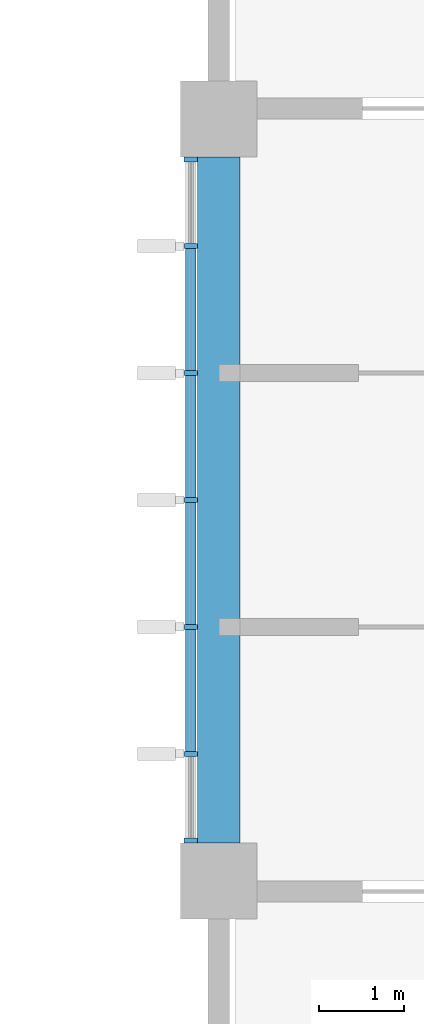
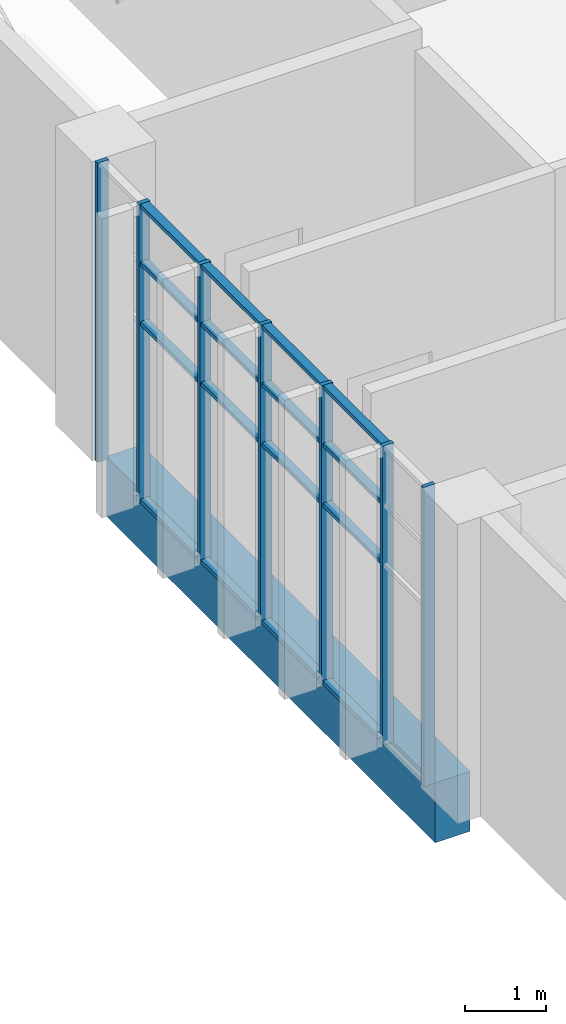
# One storey, part 8 of 79: 23 members, 1 beam, 1 element without a shape of its own.
"""IFC4 building model written with IfcOpenShell, lengths in metres."""

from ifc_helpers import new_model, si_unit, direction, frame, origin, origin_2d, place, context, subcontext, project, spatial, rectangle, extrude, material, layer, layer_set, material_profile, profile_set, type_object, element, aggregate, save


model = new_model("IFC4")

# Units and contexts
model_context = context("Model", 3, precision=1e-05, world=origin(), true_north=direction((0.0, 1.0)))
body_context = subcontext(model_context, "Body", "Model", "MODEL_VIEW")
ifc_project = project(units=[si_unit("LENGTHUNIT", "METRE"), si_unit("AREAUNIT", "SQUARE_METRE"), si_unit("VOLUMEUNIT", "CUBIC_METRE"), si_unit("PLANEANGLEUNIT", "RADIAN"), si_unit("MASSUNIT", "GRAM", prefix="KILO")], contexts=[model_context])

# Site, building, storey
site_placement = place(None, origin())
site = spatial("IfcSite", under=ifc_project, at=site_placement, CompositionType="ELEMENT")
building_placement = place(site_placement, origin())
building = spatial("IfcBuilding", under=site, at=building_placement, Name="Guidao Yard Department Store", CompositionType="ELEMENT")
storey_placement = place(building_placement, frame((0.0, 0.0, 15.0)))
storey = spatial("IfcBuildingStorey", under=building, at=storey_placement, Name="L03", CompositionType="ELEMENT", Elevation=15.0)

# Curtain wall, members
ifc_material_1 = material(Name="Aluminium and glass", Category="aluminium")
ifc_layer = layer(ifc_material_1, 0.159912109375)
ifc_layer_set = layer_set([ifc_layer], Name="Unitised curtain wall CW4 1500 module")
curtain_wall_type = type_object("IfcCurtainWallType", Name="Unitised curtain wall CW4 1500 module", PredefinedType="NOTDEFINED", material=ifc_layer_set)
curtain_wall_placement = place(storey_placement, origin())
curtain_wall = element("IfcCurtainWall", 1, at=curtain_wall_placement, inside=storey, type_object=curtain_wall_type, Name="Unitised curtain wall", PredefinedType="NOTDEFINED")
ifc_material_2 = material(Name="Aluminium 6063-T5", Category="aluminium")
ifc_material_profile_1 = material_profile(ifc_material_2, rectangle(XDim=0.06005859375, YDim=0.159912109375, at=origin_2d()), Name="Mullion M1 60 x 160 aluminium pressure plate")
ifc_profile_set_1 = profile_set([ifc_material_profile_1], Name="Aluminium 6063-T5")
member_type_1 = type_object("IfcMemberType", Name="Mullion M1 60 x 160 aluminium pressure plate", PredefinedType="MULLION", material=ifc_profile_set_1)
member_1_placement = place(storey_placement, frame((125.669921875, 9.47998046875, 0.0), z_axis=(0.0, 0.0, 1.0), x_axis=(0.0, 1.0, 0.0)))
member_1 = element("IfcMember", 2, at=member_1_placement, type_object=member_type_1, Name="CW-OW-L03-05 mullion 1", PredefinedType="MULLION", context=body_context, shape_type="SweptSolid", body=[
    extrude(rectangle(XDim=0.06005859375, YDim=0.159912109375, at=origin_2d()), origin(), (0.0, 0.0, 1.0), 4.5),
])
member_2_placement = place(storey_placement, frame((125.669921875, 10.5, 0.0), z_axis=(0.0, 0.0, 1.0), x_axis=(0.0, 1.0, 0.0)))
member_2 = element("IfcMember", 3, at=member_2_placement, type_object=member_type_1, Name="CW-OW-L03-05 mullion 2", PredefinedType="MULLION", context=body_context, shape_type="SweptSolid", body=[
    extrude(rectangle(XDim=0.06005859375, YDim=0.159912109375, at=origin_2d()), origin(), (0.0, 0.0, 1.0), 4.5),
])
member_3_placement = place(storey_placement, frame((125.669921875, 12.0, 0.0), z_axis=(0.0, 0.0, 1.0), x_axis=(0.0, 1.0, 0.0)))
member_3 = element("IfcMember", 4, at=member_3_placement, type_object=member_type_1, Name="CW-OW-L03-05 mullion 3", PredefinedType="MULLION", context=body_context, shape_type="SweptSolid", body=[
    extrude(rectangle(XDim=0.06005859375, YDim=0.159912109375, at=origin_2d()), origin(), (0.0, 0.0, 1.0), 4.5),
])
member_4_placement = place(storey_placement, frame((125.669921875, 13.5, 0.0), z_axis=(0.0, 0.0, 1.0), x_axis=(0.0, 1.0, 0.0)))
member_4 = element("IfcMember", 5, at=member_4_placement, type_object=member_type_1, Name="CW-OW-L03-05 mullion 4", PredefinedType="MULLION", context=body_context, shape_type="SweptSolid", body=[
    extrude(rectangle(XDim=0.06005859375, YDim=0.159912109375, at=origin_2d()), origin(), (0.0, 0.0, 1.0), 4.5),
])
member_5_placement = place(storey_placement, frame((125.669921875, 15.0, 0.0), z_axis=(0.0, 0.0, 1.0), x_axis=(0.0, 1.0, 0.0)))
member_5 = element("IfcMember", 6, at=member_5_placement, type_object=member_type_1, Name="CW-OW-L03-05 mullion 5", PredefinedType="MULLION", context=body_context, shape_type="SweptSolid", body=[
    extrude(rectangle(XDim=0.06005859375, YDim=0.159912109375, at=origin_2d()), origin(), (0.0, 0.0, 1.0), 4.5),
])
member_6_placement = place(storey_placement, frame((125.669921875, 16.5, 0.0), z_axis=(0.0, 0.0, 1.0), x_axis=(0.0, 1.0, 0.0)))
member_6 = element("IfcMember", 7, at=member_6_placement, type_object=member_type_1, Name="CW-OW-L03-05 mullion 6", PredefinedType="MULLION", context=body_context, shape_type="SweptSolid", body=[
    extrude(rectangle(XDim=0.06005859375, YDim=0.159912109375, at=origin_2d()), origin(), (0.0, 0.0, 1.0), 4.5),
])
member_7_placement = place(storey_placement, frame((125.669921875, 17.52001953125, 0.0), z_axis=(0.0, 0.0, 1.0), x_axis=(0.0, 1.0, 0.0)))
member_7 = element("IfcMember", 8, at=member_7_placement, type_object=member_type_1, Name="CW-OW-L03-05 mullion 7", PredefinedType="MULLION", context=body_context, shape_type="SweptSolid", body=[
    extrude(rectangle(XDim=0.06005859375, YDim=0.159912109375, at=origin_2d()), origin(), (0.0, 0.0, 1.0), 4.5),
])

# Beam
ifc_material_3 = material(Name="Concrete C40", Category="concrete")
ifc_material_profile_2 = material_profile(ifc_material_3, rectangle(XDim=0.5, YDim=0.89990234375, at=origin_2d()), Name="Spandrel beam 500 x 900 C40")
ifc_profile_set_2 = profile_set([ifc_material_profile_2], Name="Concrete C40")
beam_type = type_object("IfcBeamType", Name="Spandrel beam 500 x 900 C40", PredefinedType="SPANDREL", material=ifc_profile_set_2)
beam_placement = place(storey_placement, frame((126.0, 9.449951171875, -0.449951171875), z_axis=(0.0, 1.0, 0.0), x_axis=(-1.0, 0.0, 0.0)))
element("IfcBeam", 9, at=beam_placement, inside=storey, type_object=beam_type, Name="Beam FB04", PredefinedType="SPANDREL", context=body_context, shape_type="SweptSolid", body=[
    extrude(rectangle(XDim=0.5, YDim=0.89990234375, at=origin_2d()), origin(), (0.0, 0.0, 1.0), 8.10009765625),
])

# Member
ifc_material_4 = material(Name="Aluminium 6063-T5", Category="aluminium")
ifc_material_profile_3 = material_profile(ifc_material_4, rectangle(XDim=0.1201171875, YDim=0.06005859375, at=origin_2d()), Name="Transom T1 60 x 120 aluminium pressure plate")
ifc_profile_set_3 = profile_set([ifc_material_profile_3], Name="Aluminium 6063-T5")
member_type_2 = type_object("IfcMemberType", Name="Transom T1 60 x 120 aluminium pressure plate", PredefinedType="USERDEFINED", material=ifc_profile_set_3)
member_8_placement = place(storey_placement, frame((125.669921875, 10.530029296875, 0.030029296875), z_axis=(0.0, 1.0, 0.0), x_axis=(-1.0, 0.0, 0.0)))
member_8 = element("IfcMember", 10, at=member_8_placement, type_object=member_type_2, Name="CW-OW-L03-05 transom 2.1", ObjectType="TRANSOM", PredefinedType="USERDEFINED", context=body_context, shape_type="SweptSolid", body=[
    extrude(rectangle(XDim=0.1201171875, YDim=0.06005859375, at=origin_2d()), origin(), (0.0, 0.0, 1.0), 1.43994140625),
])

member_9_placement = place(storey_placement, frame((125.669921875, 10.530029296875, 2.699951171875), z_axis=(0.0, 1.0, 0.0), x_axis=(-1.0, 0.0, 0.0)))
member_9 = element("IfcMember", 11, at=member_9_placement, type_object=member_type_2, Name="CW-OW-L03-05 transom 2.2", ObjectType="TRANSOM", PredefinedType="USERDEFINED", context=body_context, shape_type="SweptSolid", body=[
    extrude(rectangle(XDim=0.1201171875, YDim=0.06005859375, at=origin_2d()), origin(), (0.0, 0.0, 1.0), 1.43994140625),
])

member_10_placement = place(storey_placement, frame((125.669921875, 10.530029296875, 3.60009765625), z_axis=(0.0, 1.0, 0.0), x_axis=(-1.0, 0.0, 0.0)))
member_10 = element("IfcMember", 12, at=member_10_placement, type_object=member_type_2, Name="CW-OW-L03-05 transom 2.3", ObjectType="TRANSOM", PredefinedType="USERDEFINED", context=body_context, shape_type="SweptSolid", body=[
    extrude(rectangle(XDim=0.1201171875, YDim=0.06005859375, at=origin_2d()), origin(), (0.0, 0.0, 1.0), 1.43994140625),
])

member_11_placement = place(storey_placement, frame((125.669921875, 10.530029296875, 4.469970703125), z_axis=(0.0, 1.0, 0.0), x_axis=(-1.0, 0.0, 0.0)))
member_11 = element("IfcMember", 13, at=member_11_placement, type_object=member_type_2, Name="CW-OW-L03-05 transom 2.4", ObjectType="TRANSOM", PredefinedType="USERDEFINED", context=body_context, shape_type="SweptSolid", body=[
    extrude(rectangle(XDim=0.1201171875, YDim=0.06005859375, at=origin_2d()), origin(), (0.0, 0.0, 1.0), 1.43994140625),
])

member_12_placement = place(storey_placement, frame((125.669921875, 12.030029296875, 0.030029296875), z_axis=(0.0, 1.0, 0.0), x_axis=(-1.0, 0.0, 0.0)))
member_12 = element("IfcMember", 14, at=member_12_placement, type_object=member_type_2, Name="CW-OW-L03-05 transom 3.1", ObjectType="TRANSOM", PredefinedType="USERDEFINED", context=body_context, shape_type="SweptSolid", body=[
    extrude(rectangle(XDim=0.1201171875, YDim=0.06005859375, at=origin_2d()), origin(), (0.0, 0.0, 1.0), 1.43994140625),
])

member_13_placement = place(storey_placement, frame((125.669921875, 12.030029296875, 2.699951171875), z_axis=(0.0, 1.0, 0.0), x_axis=(-1.0, 0.0, 0.0)))
member_13 = element("IfcMember", 15, at=member_13_placement, type_object=member_type_2, Name="CW-OW-L03-05 transom 3.2", ObjectType="TRANSOM", PredefinedType="USERDEFINED", context=body_context, shape_type="SweptSolid", body=[
    extrude(rectangle(XDim=0.1201171875, YDim=0.06005859375, at=origin_2d()), origin(), (0.0, 0.0, 1.0), 1.43994140625),
])

member_14_placement = place(storey_placement, frame((125.669921875, 12.030029296875, 3.60009765625), z_axis=(0.0, 1.0, 0.0), x_axis=(-1.0, 0.0, 0.0)))
member_14 = element("IfcMember", 16, at=member_14_placement, type_object=member_type_2, Name="CW-OW-L03-05 transom 3.3", ObjectType="TRANSOM", PredefinedType="USERDEFINED", context=body_context, shape_type="SweptSolid", body=[
    extrude(rectangle(XDim=0.1201171875, YDim=0.06005859375, at=origin_2d()), origin(), (0.0, 0.0, 1.0), 1.43994140625),
])

member_15_placement = place(storey_placement, frame((125.669921875, 12.030029296875, 4.469970703125), z_axis=(0.0, 1.0, 0.0), x_axis=(-1.0, 0.0, 0.0)))
member_15 = element("IfcMember", 17, at=member_15_placement, type_object=member_type_2, Name="CW-OW-L03-05 transom 3.4", ObjectType="TRANSOM", PredefinedType="USERDEFINED", context=body_context, shape_type="SweptSolid", body=[
    extrude(rectangle(XDim=0.1201171875, YDim=0.06005859375, at=origin_2d()), origin(), (0.0, 0.0, 1.0), 1.43994140625),
])

member_16_placement = place(storey_placement, frame((125.669921875, 13.530029296875, 0.030029296875), z_axis=(0.0, 1.0, 0.0), x_axis=(-1.0, 0.0, 0.0)))
member_16 = element("IfcMember", 18, at=member_16_placement, type_object=member_type_2, Name="CW-OW-L03-05 transom 4.1", ObjectType="TRANSOM", PredefinedType="USERDEFINED", context=body_context, shape_type="SweptSolid", body=[
    extrude(rectangle(XDim=0.1201171875, YDim=0.06005859375, at=origin_2d()), origin(), (0.0, 0.0, 1.0), 1.43994140625),
])

member_17_placement = place(storey_placement, frame((125.669921875, 13.530029296875, 2.699951171875), z_axis=(0.0, 1.0, 0.0), x_axis=(-1.0, 0.0, 0.0)))
member_17 = element("IfcMember", 19, at=member_17_placement, type_object=member_type_2, Name="CW-OW-L03-05 transom 4.2", ObjectType="TRANSOM", PredefinedType="USERDEFINED", context=body_context, shape_type="SweptSolid", body=[
    extrude(rectangle(XDim=0.1201171875, YDim=0.06005859375, at=origin_2d()), origin(), (0.0, 0.0, 1.0), 1.43994140625),
])

member_18_placement = place(storey_placement, frame((125.669921875, 13.530029296875, 3.60009765625), z_axis=(0.0, 1.0, 0.0), x_axis=(-1.0, 0.0, 0.0)))
member_18 = element("IfcMember", 20, at=member_18_placement, type_object=member_type_2, Name="CW-OW-L03-05 transom 4.3", ObjectType="TRANSOM", PredefinedType="USERDEFINED", context=body_context, shape_type="SweptSolid", body=[
    extrude(rectangle(XDim=0.1201171875, YDim=0.06005859375, at=origin_2d()), origin(), (0.0, 0.0, 1.0), 1.43994140625),
])

member_19_placement = place(storey_placement, frame((125.669921875, 13.530029296875, 4.469970703125), z_axis=(0.0, 1.0, 0.0), x_axis=(-1.0, 0.0, 0.0)))
member_19 = element("IfcMember", 21, at=member_19_placement, type_object=member_type_2, Name="CW-OW-L03-05 transom 4.4", ObjectType="TRANSOM", PredefinedType="USERDEFINED", context=body_context, shape_type="SweptSolid", body=[
    extrude(rectangle(XDim=0.1201171875, YDim=0.06005859375, at=origin_2d()), origin(), (0.0, 0.0, 1.0), 1.43994140625),
])

member_20_placement = place(storey_placement, frame((125.669921875, 15.030029296875, 0.030029296875), z_axis=(0.0, 1.0, 0.0), x_axis=(-1.0, 0.0, 0.0)))
member_20 = element("IfcMember", 22, at=member_20_placement, type_object=member_type_2, Name="CW-OW-L03-05 transom 5.1", ObjectType="TRANSOM", PredefinedType="USERDEFINED", context=body_context, shape_type="SweptSolid", body=[
    extrude(rectangle(XDim=0.1201171875, YDim=0.06005859375, at=origin_2d()), origin(), (0.0, 0.0, 1.0), 1.43994140625),
])

member_21_placement = place(storey_placement, frame((125.669921875, 15.030029296875, 2.699951171875), z_axis=(0.0, 1.0, 0.0), x_axis=(-1.0, 0.0, 0.0)))
member_21 = element("IfcMember", 23, at=member_21_placement, type_object=member_type_2, Name="CW-OW-L03-05 transom 5.2", ObjectType="TRANSOM", PredefinedType="USERDEFINED", context=body_context, shape_type="SweptSolid", body=[
    extrude(rectangle(XDim=0.1201171875, YDim=0.06005859375, at=origin_2d()), origin(), (0.0, 0.0, 1.0), 1.43994140625),
])

member_22_placement = place(storey_placement, frame((125.669921875, 15.030029296875, 3.60009765625), z_axis=(0.0, 1.0, 0.0), x_axis=(-1.0, 0.0, 0.0)))
member_22 = element("IfcMember", 24, at=member_22_placement, type_object=member_type_2, Name="CW-OW-L03-05 transom 5.3", ObjectType="TRANSOM", PredefinedType="USERDEFINED", context=body_context, shape_type="SweptSolid", body=[
    extrude(rectangle(XDim=0.1201171875, YDim=0.06005859375, at=origin_2d()), origin(), (0.0, 0.0, 1.0), 1.43994140625),
])

member_23_placement = place(storey_placement, frame((125.669921875, 15.030029296875, 4.469970703125), z_axis=(0.0, 1.0, 0.0), x_axis=(-1.0, 0.0, 0.0)))
member_23 = element("IfcMember", 25, at=member_23_placement, type_object=member_type_2, Name="CW-OW-L03-05 transom 5.4", ObjectType="TRANSOM", PredefinedType="USERDEFINED", context=body_context, shape_type="SweptSolid", body=[
    extrude(rectangle(XDim=0.1201171875, YDim=0.06005859375, at=origin_2d()), origin(), (0.0, 0.0, 1.0), 1.43994140625),
])

aggregate(curtain_wall, [member_1, member_2, member_3, member_4, member_5, member_6, member_7, member_8, member_9, member_10, member_11, member_12, member_13, member_14, member_15, member_16, member_17, member_18, member_19, member_20, member_21, member_22, member_23])

save(model, "model.ifc")
